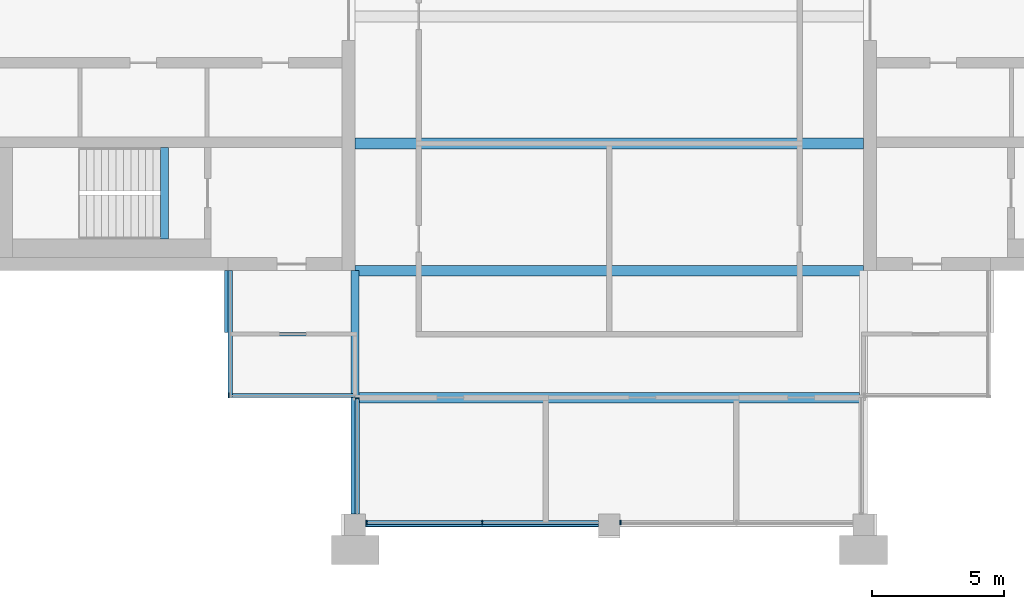
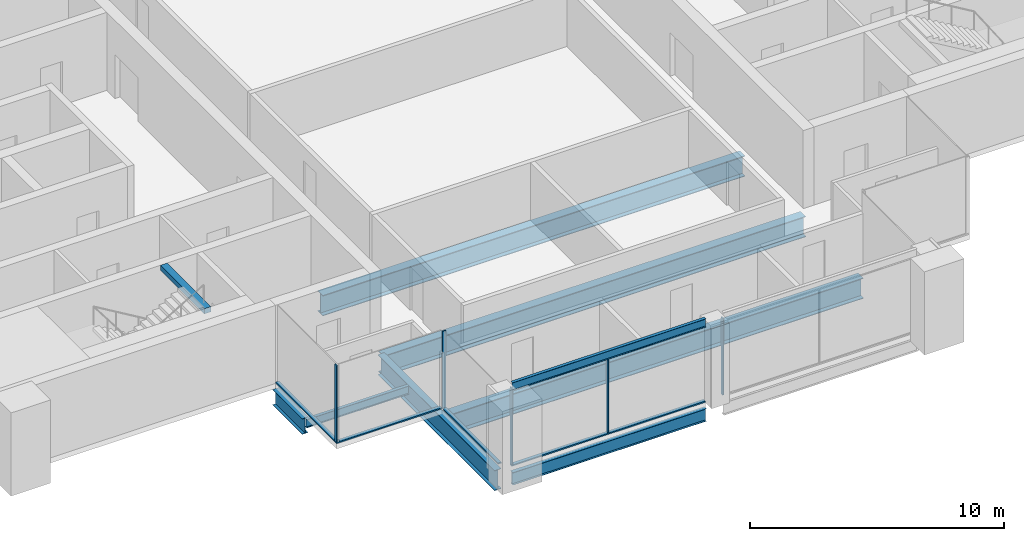
# One storey, part 2 of 11: 9 beams, 9 members, 5 elements without a shape of their own.
"""IFC4 building model written with IfcOpenShell, lengths in metres."""

from ifc_helpers import new_model, si_unit, direction, frame, origin, origin_2d, place, context, subcontext, project, spatial, rectangle, i_section, extrude, material, material_profile, profile_set, type_object, element, aggregate, save


model = new_model("IFC4")

# Units and contexts
model_context = context("Model", 3, precision=1e-05, world=origin(), true_north=direction((0.0, 1.0)))
body_context = subcontext(model_context, "Body", "Model", "MODEL_VIEW")
ifc_project = project(units=[si_unit("LENGTHUNIT", "METRE"), si_unit("AREAUNIT", "SQUARE_METRE"), si_unit("VOLUMEUNIT", "CUBIC_METRE"), si_unit("PLANEANGLEUNIT", "RADIAN"), si_unit("MASSUNIT", "GRAM", prefix="KILO")], contexts=[model_context])

# Site, building, storey
site_placement = place(None, origin())
site = spatial("IfcSite", under=ifc_project, at=site_placement, CompositionType="ELEMENT")
building_placement = place(site_placement, origin())
building = spatial("IfcBuilding", under=site, at=building_placement, Name="Baori Bourse Tower", CompositionType="ELEMENT")
storey_placement = place(building_placement, frame((0.0, 0.0, 358.300048828125)))
storey = spatial("IfcBuildingStorey", under=building, at=storey_placement, Name="L80", CompositionType="ELEMENT", Elevation=358.300048828125)

# Curtain wall, member
ifc_material_1 = material(Name="Pale anodised aluminium", Category="aluminium")
curtain_wall_type = type_object("IfcCurtainWallType", Name="CW3 Curtain wall", PredefinedType="NOTDEFINED", material=ifc_material_1)
curtain_wall_1_placement = place(storey_placement, origin())
curtain_wall_1 = element("IfcCurtainWall", 1, at=curtain_wall_1_placement, inside=storey, type_object=curtain_wall_type, Name="Curtain wall CW3 L80 11", PredefinedType="NOTDEFINED")
ifc_material_2 = material(Name="Pale anodised aluminium", Category="aluminium")
ifc_material_profile_1 = material_profile(ifc_material_2, rectangle(XDim=0.159912109375, YDim=0.050048828125, at=origin_2d()), Name="Mullion 50x160")
ifc_profile_set_1 = profile_set([ifc_material_profile_1], Name="Pale anodised aluminium")
member_type_1 = type_object("IfcMemberType", Name="CW3 Curtain wall mullion", PredefinedType="MULLION", material=ifc_profile_set_1)
member_1_placement = place(storey_placement, frame((14.425048828125, 4.8798828125, 0.06005859375), z_axis=(0.0, 0.0, 1.0), x_axis=(0.0, 1.0, 0.0)))
member_1 = element("IfcMember", 2, at=member_1_placement, type_object=member_type_1, Name="Curtain wall CW3 mullion", PredefinedType="MULLION", context=body_context, shape_type="SweptSolid", body=[
    extrude(rectangle(XDim=0.159912109375, YDim=0.050048828125, at=origin_2d()), origin(), (0.0, 0.0, 1.0), 3.68994140625),
])

curtain_wall_2_placement = place(storey_placement, origin())
curtain_wall_2 = element("IfcCurtainWall", 3, at=curtain_wall_2_placement, inside=storey, type_object=curtain_wall_type, Name="Curtain wall CW3 L80 12", PredefinedType="NOTDEFINED")
member_2_placement = place(storey_placement, frame((19.280029296875, 4.77490234375, 0.06005859375), z_axis=(0.0, 0.0, 1.0), x_axis=(1.0, 0.0, 0.0)))
member_2 = element("IfcMember", 4, at=member_2_placement, type_object=member_type_1, Name="Curtain wall CW3 mullion", PredefinedType="MULLION", context=body_context, shape_type="SweptSolid", body=[
    extrude(rectangle(XDim=0.159912109375, YDim=0.050048828125, at=origin_2d()), origin(), (0.0, 0.0, 1.0), 3.68994140625),
])

# Curtain wall, members
curtain_wall_3_placement = place(storey_placement, origin())
curtain_wall_3 = element("IfcCurtainWall", 5, at=curtain_wall_3_placement, inside=storey, type_object=curtain_wall_type, Name="Curtain wall CW3 L80 13", PredefinedType="NOTDEFINED")
member_3_placement = place(storey_placement, frame((19.625, 0.080078125, 0.06005859375), z_axis=(0.0, 0.0, 1.0), x_axis=(0.0, 1.0, 0.0)))
member_3 = element("IfcMember", 6, at=member_3_placement, type_object=member_type_1, Name="Curtain wall CW3 mullion", PredefinedType="MULLION", context=body_context, shape_type="SweptSolid", body=[
    extrude(rectangle(XDim=0.159912109375, YDim=0.050048828125, at=origin_2d()), origin(), (0.0, 0.0, 1.0), 3.68994140625),
])
member_4_placement = place(storey_placement, frame((24.0, 0.080078125, 0.06005859375), z_axis=(0.0, 0.0, 1.0), x_axis=(0.0, 1.0, 0.0)))
member_4 = element("IfcMember", 7, at=member_4_placement, type_object=member_type_1, Name="Curtain wall CW3 mullion", PredefinedType="MULLION", context=body_context, shape_type="SweptSolid", body=[
    extrude(rectangle(XDim=0.159912109375, YDim=0.050048828125, at=origin_2d()), origin(), (0.0, 0.0, 1.0), 3.68994140625),
])

# Curtain wall, member
curtain_wall_4_placement = place(storey_placement, origin())
curtain_wall_4 = element("IfcCurtainWall", 8, at=curtain_wall_4_placement, inside=storey, type_object=curtain_wall_type, Name="Curtain wall CW3 L80 14", PredefinedType="NOTDEFINED")
member_5_placement = place(storey_placement, frame((29.22509765625, 0.080078125, 0.06005859375), z_axis=(0.0, 0.0, 1.0), x_axis=(0.0, 1.0, 0.0)))
member_5 = element("IfcMember", 9, at=member_5_placement, type_object=member_type_1, Name="Curtain wall CW3 mullion", PredefinedType="MULLION", context=body_context, shape_type="SweptSolid", body=[
    extrude(rectangle(XDim=0.159912109375, YDim=0.050048828125, at=origin_2d()), origin(), (0.0, 0.0, 1.0), 3.68994140625),
])
aggregate(curtain_wall_4, [member_5])

curtain_wall_5_placement = place(storey_placement, origin())
curtain_wall_5 = element("IfcCurtainWall", 10, at=curtain_wall_5_placement, inside=storey, type_object=curtain_wall_type, Name="Curtain wall CW3 L80 10", PredefinedType="NOTDEFINED")
ifc_material_3 = material(Name="Pale anodised aluminium", Category="aluminium")
ifc_material_profile_2 = material_profile(ifc_material_3, rectangle(XDim=0.159912109375, YDim=0.06005859375, at=origin_2d()), Name="Transom 60x160")
ifc_profile_set_2 = profile_set([ifc_material_profile_2], Name="Pale anodised aluminium")
member_type_2 = type_object("IfcMemberType", Name="CW3 Curtain wall transom", PredefinedType="USERDEFINED", material=ifc_profile_set_2)
member_6_placement = place(storey_placement, frame((14.47998046875, 9.60009765625, 0.030029296875), z_axis=(0.0, -1.0, 0.0), x_axis=(1.0, 0.0, 0.0)))
member_6 = element("IfcMember", 11, at=member_6_placement, type_object=member_type_2, Name="Curtain wall CW3 sill rail", ObjectType="TRANSOM", PredefinedType="USERDEFINED", context=body_context, shape_type="SweptSolid", body=[
    extrude(rectangle(XDim=0.159912109375, YDim=0.06005859375, at=origin_2d()), origin(), (0.0, 0.0, 1.0), 4.800048828125),
])
aggregate(curtain_wall_5, [member_6])

# Member
member_7_placement = place(storey_placement, frame((14.39990234375, 4.8798828125, 0.030029296875), z_axis=(1.0, 0.0, 0.0), x_axis=(0.0, 1.0, 0.0)))
member_7 = element("IfcMember", 12, at=member_7_placement, type_object=member_type_2, Name="Curtain wall CW3 sill rail", ObjectType="TRANSOM", PredefinedType="USERDEFINED", context=body_context, shape_type="SweptSolid", body=[
    extrude(rectangle(XDim=0.159912109375, YDim=0.06005859375, at=origin_2d()), origin(), (0.0, 0.0, 1.0), 4.800048828125),
])

aggregate(curtain_wall_1, [member_7, member_1])

member_8_placement = place(storey_placement, frame((19.280029296875, 4.800048828125, 0.030029296875), z_axis=(0.0, -1.0, 0.0), x_axis=(1.0, 0.0, 0.0)))
member_8 = element("IfcMember", 13, at=member_8_placement, type_object=member_type_2, Name="Curtain wall CW3 sill rail", ObjectType="TRANSOM", PredefinedType="USERDEFINED", context=body_context, shape_type="SweptSolid", body=[
    extrude(rectangle(XDim=0.159912109375, YDim=0.06005859375, at=origin_2d()), origin(), (0.0, 0.0, 1.0), 4.400146484375),
])

aggregate(curtain_wall_2, [member_8, member_2])

member_9_placement = place(storey_placement, frame((19.60009765625, 0.080078125, 0.030029296875), z_axis=(1.0, 0.0, 0.0), x_axis=(0.0, 1.0, 0.0)))
member_9 = element("IfcMember", 14, at=member_9_placement, type_object=member_type_2, Name="Curtain wall CW3 sill rail", ObjectType="TRANSOM", PredefinedType="USERDEFINED", context=body_context, shape_type="SweptSolid", body=[
    extrude(rectangle(XDim=0.159912109375, YDim=0.06005859375, at=origin_2d()), origin(), (0.0, 0.0, 1.0), 8.7998046875),
])

aggregate(curtain_wall_3, [member_9, member_3, member_4])

# Beams
ifc_material_4 = material(Name="Steel A992 Gr 50", Category="steel")
ifc_material_profile_3 = material_profile(ifc_material_4, i_section(OverallWidth=0.26416015625, OverallDepth=0.749267578125, WebThickness=0.011962890625, FlangeThickness=0.015380859375, at=origin_2d()), Name="W30x90")
ifc_profile_set_3 = profile_set([ifc_material_profile_3], Name="Steel A992 Gr 50")
beam_type_1 = type_object("IfcBeamType", Name="Core bracket W30x90", PredefinedType="BEAM", material=ifc_profile_set_3)
beam_1_placement = place(storey_placement, frame((14.39990234375, 7.270263671875, -0.624755859375), z_axis=(0.0, 1.0, 0.0), x_axis=(-1.0, 0.0, 0.0)))
element("IfcBeam", 15, at=beam_1_placement, inside=storey, type_object=beam_type_1, Name="Core bracket L80", PredefinedType="BEAM", context=body_context, shape_type="SweptSolid", body=[
    extrude(i_section(OverallWidth=0.26416015625, OverallDepth=0.749267578125, WebThickness=0.011962890625, FlangeThickness=0.015380859375, at=origin_2d()), origin(), (0.0, 0.0, 1.0), 2.329833984375),
])
ifc_material_5 = material(Name="Steel A992 Gr 50", Category="steel")
ifc_material_profile_4 = material_profile(ifc_material_5, i_section(OverallWidth=0.177978515625, OverallDepth=0.599365234375, WebThickness=0.010009765625, FlangeThickness=0.012939453125, at=origin_2d()), Name="W24x55")
ifc_profile_set_4 = profile_set([ifc_material_profile_4], Name="Steel A992 Gr 50")
beam_type_2 = type_object("IfcBeamType", Name="Edge beam W24x55", PredefinedType="BEAM", material=ifc_profile_set_4)
beam_2_placement = place(storey_placement, frame((19.60009765625, 0.0, -0.5498046875), z_axis=(1.0, 0.0, 0.0), x_axis=(0.0, 1.0, 0.0)))
element("IfcBeam", 16, at=beam_2_placement, inside=storey, type_object=beam_type_2, Name="Edge beam L80", PredefinedType="BEAM", context=body_context, shape_type="SweptSolid", body=[
    extrude(i_section(OverallWidth=0.177978515625, OverallDepth=0.599365234375, WebThickness=0.010009765625, FlangeThickness=0.012939453125, at=origin_2d()), origin(), (0.0, 0.0, 1.0), 8.7998046875),
])
ifc_material_6 = material(Name="Steel A992 Gr 50", Category="steel")
ifc_material_profile_5 = material_profile(ifc_material_6, i_section(OverallWidth=0.4013671875, OverallDepth=0.990478515625, WebThickness=0.0166015625, FlangeThickness=0.031005859375, at=origin_2d()), Name="W40x215")
ifc_profile_set_5 = profile_set([ifc_material_profile_5], Name="Steel A992 Gr 50")
beam_type_3 = type_object("IfcBeamType", Name="Floor beam W40x215", PredefinedType="BEAM", material=ifc_profile_set_5)
beam_3_placement = place(storey_placement, frame((19.349853515625, 4.800048828125, -0.745361328125), z_axis=(1.0, 0.0, 0.0), x_axis=(0.0, 1.0, 0.0)))
element("IfcBeam", 17, at=beam_3_placement, inside=storey, type_object=beam_type_3, Name="Floor beam L80", PredefinedType="BEAM", context=body_context, shape_type="SweptSolid", body=[
    extrude(i_section(OverallWidth=0.4013671875, OverallDepth=0.990478515625, WebThickness=0.0166015625, FlangeThickness=0.031005859375, at=origin_2d()), origin(), (0.0, 0.0, 1.0), 18.900390625),
])
for number, where, z_axis, x_axis, name in (
    (18, (19.199951171875, 9.60009765625, -0.745361328125), (1.0, 0.0, 0.0), (0.0, 1.0, 0.0), "Floor beam L80"),
    (19, (19.199951171875, 14.39990234375, -0.745361328125), (1.0, 0.0, 0.0), (0.0, 1.0, 0.0), "Floor beam L80"),
):
    element("IfcBeam", number, at=place(storey_placement, frame(where, z_axis=z_axis, x_axis=x_axis)), inside=storey, type_object=beam_type_3, Name=name, PredefinedType="BEAM", context=body_context, shape_type="SweptSolid", body=[
        extrude(i_section(OverallWidth=0.4013671875, OverallDepth=0.990478515625, WebThickness=0.0166015625, FlangeThickness=0.031005859375, at=origin_2d()), origin(), (0.0, 0.0, 1.0), 19.199951171875),
    ])
ifc_material_7 = material(Name="Steel A992 Gr 50", Category="steel")
ifc_material_profile_6 = material_profile(ifc_material_7, i_section(OverallWidth=0.2998046875, OverallDepth=0.97021484375, WebThickness=0.01611328125, FlangeThickness=0.02099609375, at=origin_2d()), Name="W40x149")
ifc_profile_set_6 = profile_set([ifc_material_profile_6], Name="Steel A992 Gr 50")
beam_type_4 = type_object("IfcBeamType", Name="Girder W40x149", PredefinedType="BEAM", material=ifc_profile_set_6)
beam_4_placement = place(storey_placement, frame((19.199951171875, 0.39990234375, -0.735107421875), z_axis=(0.0, 1.0, 0.0), x_axis=(-1.0, 0.0, 0.0)))
element("IfcBeam", 20, at=beam_4_placement, inside=storey, type_object=beam_type_4, Name="Girder L80", PredefinedType="BEAM", context=body_context, shape_type="SweptSolid", body=[
    extrude(i_section(OverallWidth=0.2998046875, OverallDepth=0.97021484375, WebThickness=0.01611328125, FlangeThickness=0.02099609375, at=origin_2d()), origin(), (0.0, 0.0, 1.0), 9.2001953125),
])
ifc_material_8 = material(Name="Steel A992 Gr 50", Category="steel")
ifc_material_profile_7 = material_profile(ifc_material_8, i_section(OverallWidth=0.140380859375, OverallDepth=0.40380859375, WebThickness=0.007080078125, FlangeThickness=0.01123046875, at=origin_2d()), Name="W16x31")
ifc_profile_set_7 = profile_set([ifc_material_profile_7], Name="Steel A992 Gr 50")
beam_type_5 = type_object("IfcBeamType", Name="Roof edge beam W16x31", PredefinedType="BEAM", material=ifc_profile_set_7)
beam_5_placement = place(storey_placement, frame((19.60009765625, 0.0, 3.8662109375), z_axis=(1.0, 0.0, 0.0), x_axis=(0.0, 1.0, 0.0)))
element("IfcBeam", 21, at=beam_5_placement, inside=storey, type_object=beam_type_5, Name="Roof edge beam Roof", PredefinedType="BEAM", context=body_context, shape_type="SweptSolid", body=[
    extrude(i_section(OverallWidth=0.140380859375, OverallDepth=0.40380859375, WebThickness=0.007080078125, FlangeThickness=0.01123046875, at=origin_2d()), origin(), (0.0, 0.0, 1.0), 8.7998046875),
])
ifc_material_9 = material(Name="Concrete f'c 50 MPa", Category="concrete")
ifc_material_profile_8 = material_profile(ifc_material_9, rectangle(XDim=0.300048828125, YDim=0.25, at=origin_2d()), Name="RC 300x250")
ifc_profile_set_8 = profile_set([ifc_material_profile_8], Name="Concrete f'c 50 MPa")
beam_type_6 = type_object("IfcBeamType", Name="Stair nib beam RC 300x250", PredefinedType="BEAM", material=ifc_profile_set_8)
beam_6_placement = place(storey_placement, frame((12.0, 10.800048828125, 3.625), z_axis=(0.0, 1.0, 0.0), x_axis=(-1.0, 0.0, 0.0)))
element("IfcBeam", 22, at=beam_6_placement, inside=storey, type_object=beam_type_6, Name="Stair WA nib beam L81", PredefinedType="BEAM", context=body_context, shape_type="SweptSolid", body=[
    extrude(rectangle(XDim=0.300048828125, YDim=0.25, at=origin_2d()), origin(), (0.0, 0.0, 1.0), 3.449951171875),
])
ifc_material_10 = material(Name="Steel A992 Gr 50", Category="steel")
ifc_material_profile_9 = material_profile(ifc_material_10, i_section(OverallWidth=0.140380859375, OverallDepth=0.40380859375, WebThickness=0.007080078125, FlangeThickness=0.01123046875, at=origin_2d()), Name="W16x31")
ifc_profile_set_9 = profile_set([ifc_material_profile_9], Name="Steel A992 Gr 50")
beam_type_7 = type_object("IfcBeamType", Name="Trimmer beam W16x31", PredefinedType="BEAM", material=ifc_profile_set_9)
beam_7_placement = place(storey_placement, frame((14.39990234375, 7.199951171875, -0.451904296875), z_axis=(1.0, 0.0, 0.0), x_axis=(0.0, 1.0, 0.0)))
element("IfcBeam", 23, at=beam_7_placement, inside=storey, type_object=beam_type_7, Name="Trimmer beam L80", PredefinedType="BEAM", context=body_context, shape_type="SweptSolid", body=[
    extrude(i_section(OverallWidth=0.140380859375, OverallDepth=0.40380859375, WebThickness=0.007080078125, FlangeThickness=0.01123046875, at=origin_2d()), origin(), (0.0, 0.0, 1.0), 4.650146484375),
])

save(model, "model.ifc")
